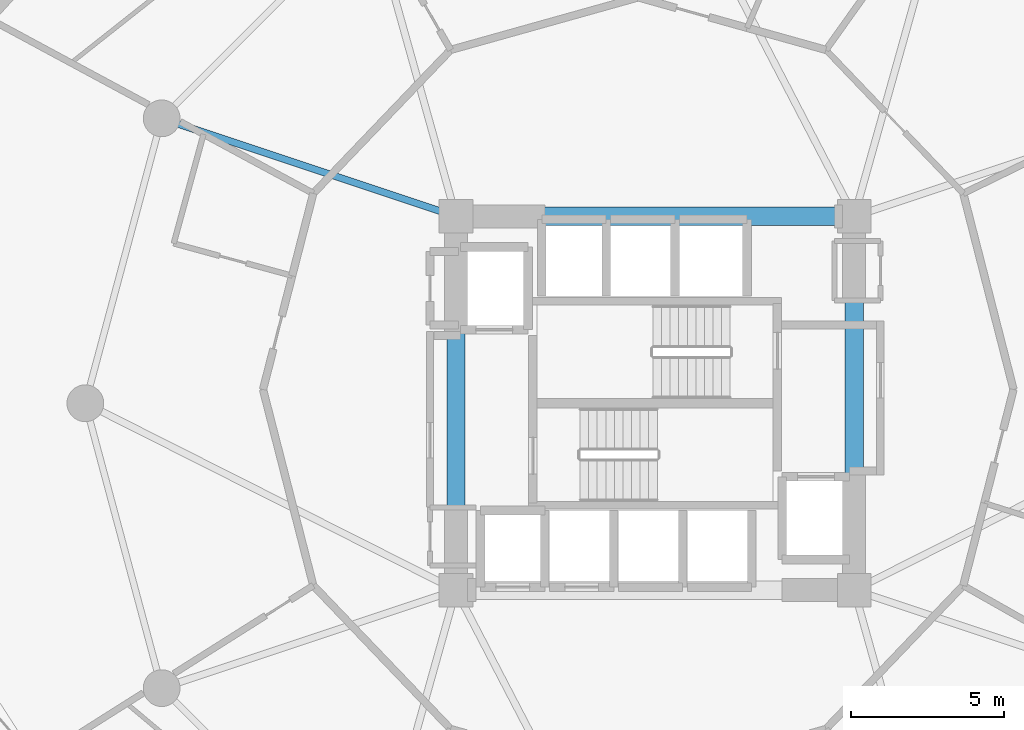
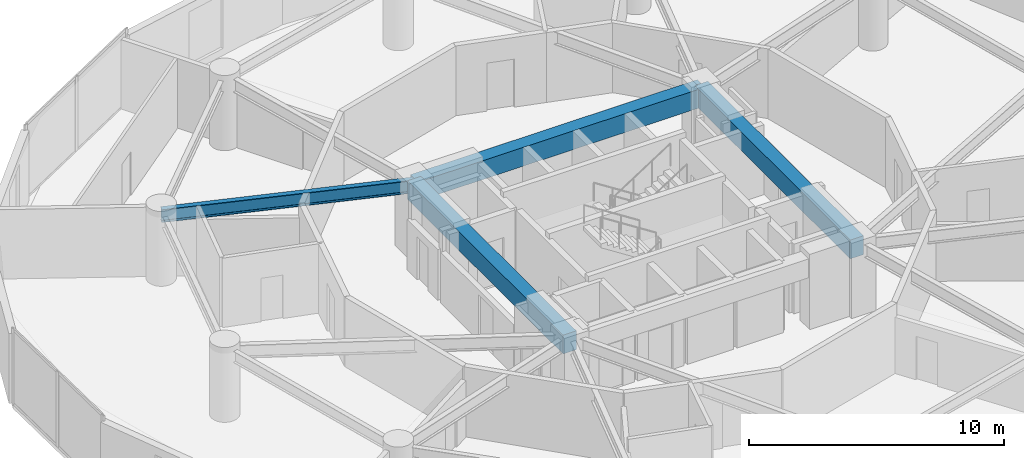
# One storey, part 7 of 23: 4 beams.
"""IFC4 building model written with IfcOpenShell, lengths in metres."""

from ifc_helpers import new_model, si_unit, direction, frame, origin, origin_2d, place, context, subcontext, project, spatial, rectangle, i_section, extrude, material, material_profile, profile_set, type_object, element, save


model = new_model("IFC4")

# Units and contexts
model_context = context("Model", 3, precision=1e-05, world=origin(), true_north=direction((0.0, 1.0)))
body_context = subcontext(model_context, "Body", "Model", "MODEL_VIEW")
ifc_project = project(units=[si_unit("LENGTHUNIT", "METRE"), si_unit("AREAUNIT", "SQUARE_METRE"), si_unit("VOLUMEUNIT", "CUBIC_METRE"), si_unit("PLANEANGLEUNIT", "RADIAN"), si_unit("MASSUNIT", "GRAM", prefix="KILO")], contexts=[model_context])

# Site, building, storey
site_placement = place(None, origin())
site = spatial("IfcSite", under=ifc_project, at=site_placement, CompositionType="ELEMENT")
building_placement = place(site_placement, origin())
building = spatial("IfcBuilding", under=site, at=building_placement, Name="Solvirekh Grand Hotel", CompositionType="ELEMENT")
storey_placement = place(building_placement, frame((0.0, 0.0, 46.39990234375)))
storey = spatial("IfcBuildingStorey", under=building, at=storey_placement, Name="L10", CompositionType="ELEMENT", Elevation=46.39990234375)

# Beams
ifc_material_1 = material(Name="Concrete C50/60", Category="concrete")
ifc_material_profile_1 = material_profile(ifc_material_1, rectangle(XDim=0.60009765625, YDim=0.89990234375, at=origin_2d()), Name="RC BEAM 600X900")
ifc_profile_set_1 = profile_set([ifc_material_profile_1], Name="Concrete C50/60")
beam_type_1 = type_object("IfcBeamType", Name="Beam_Core_RC900", PredefinedType="BEAM", material=ifc_profile_set_1)
beam_1_placement = place(storey_placement, frame((6.5, -6.10009765625, 2.89013671875), z_axis=(0.0, 1.0, 0.0), x_axis=(-1.0, 0.0, 0.0)))
element("IfcBeam", 1, at=beam_1_placement, inside=storey, type_object=beam_type_1, Name="L10 core coupling ring beam 2", PredefinedType="BEAM", context=body_context, shape_type="SweptSolid", body=[
    extrude(rectangle(XDim=0.60009765625, YDim=0.89990234375, at=origin_2d()), origin(), (0.0, 0.0, 1.0), 12.2001953125),
])
beam_2_placement = place(storey_placement, frame((6.5, 6.10009765625, 2.89013671875), z_axis=(-1.0, 0.0, 0.0), x_axis=(0.0, -1.0, 0.0)))
element("IfcBeam", 2, at=beam_2_placement, inside=storey, type_object=beam_type_1, Name="L10 core coupling ring beam 3", PredefinedType="BEAM", context=body_context, shape_type="SweptSolid", body=[
    extrude(rectangle(XDim=0.60009765625, YDim=0.89990234375, at=origin_2d()), origin(), (0.0, 0.0, 1.0), 13.0),
])
beam_3_placement = place(storey_placement, frame((-6.5, 6.10009765625, 2.89013671875), z_axis=(0.0, -1.0, 0.0), x_axis=(1.0, 0.0, 0.0)))
element("IfcBeam", 3, at=beam_3_placement, inside=storey, type_object=beam_type_1, Name="L10 core coupling ring beam 4", PredefinedType="BEAM", context=body_context, shape_type="SweptSolid", body=[
    extrude(rectangle(XDim=0.60009765625, YDim=0.89990234375, at=origin_2d()), origin(), (0.0, 0.0, 1.0), 12.2001953125),
])
ifc_material_2 = material(Name="Steel S355", Category="steel")
ifc_material_profile_2 = material_profile(ifc_material_2, i_section(OverallWidth=0.22998046875, OverallDepth=0.615966796875, WebThickness=0.013916015625, FlangeThickness=0.02392578125, FilletRadius=0.014892578125, at=origin_2d()), Name="W610X174")
ifc_profile_set_2 = profile_set([ifc_material_profile_2], Name="Steel S355")
beam_type_2 = type_object("IfcBeamType", Name="Beam_Primary_W610H", PredefinedType="BEAM", material=ifc_profile_set_2)
beam_4_placement = place(storey_placement, frame((-6.5, 6.10009765625, 3.031982421875), z_axis=(-0.948762825819, 0.315989082635, 0.0), x_axis=(-0.315989082635, -0.948762825819, 0.0)))
element("IfcBeam", 4, at=beam_4_placement, inside=storey, type_object=beam_type_2, Name="L10 radial floor beam R06", PredefinedType="BEAM", context=body_context, shape_type="SweptSolid", body=[
    extrude(i_section(OverallWidth=0.22998046875, OverallDepth=0.615966796875, WebThickness=0.013916015625, FlangeThickness=0.02392578125, FilletRadius=0.014892578125, at=origin_2d()), origin(), (0.0, 0.0, 1.0), 10.126708984375),
])

save(model, "model.ifc")
